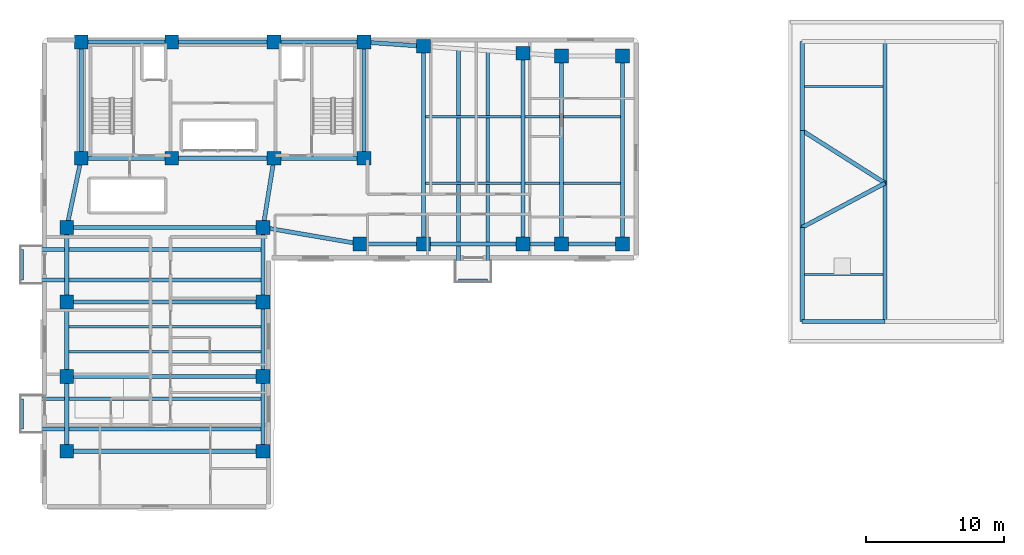
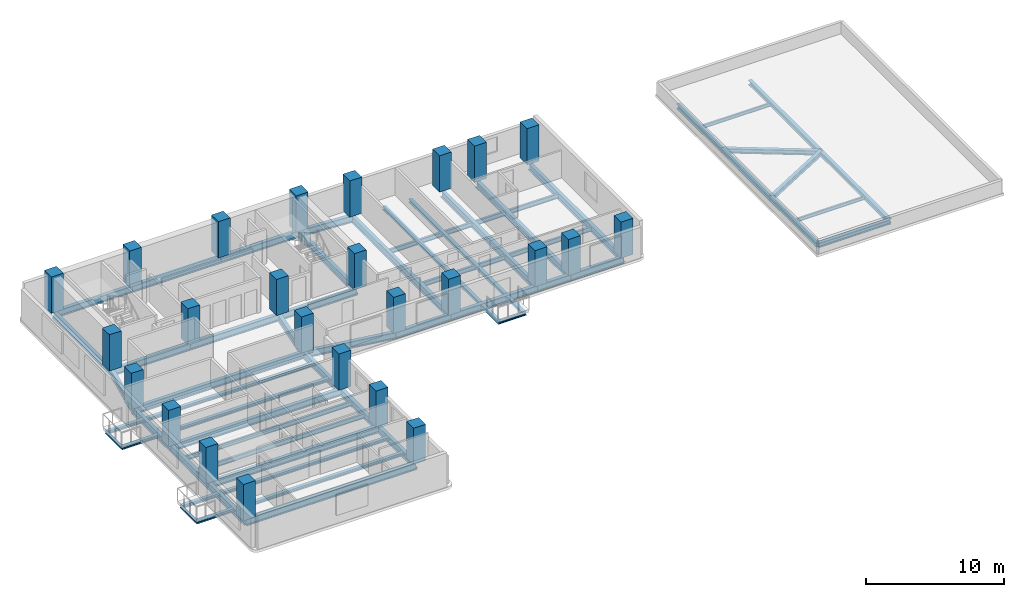
# One storey, part 1 of 8: 57 beams, 25 columns.
"""IFC4 building model written with IfcOpenShell, lengths in metres."""

from ifc_helpers import new_model, si_unit, direction, frame, origin, origin_2d, place, context, subcontext, project, spatial, rectangle, i_section, extrude, material, material_profile, profile_set, type_object, element, save


model = new_model("IFC4")

# Units and contexts
model_context = context("Model", 3, precision=1e-05, world=origin(), true_north=direction((0.0, 1.0)))
body_context = subcontext(model_context, "Body", "Model", "MODEL_VIEW")
ifc_project = project(units=[si_unit("LENGTHUNIT", "METRE"), si_unit("AREAUNIT", "SQUARE_METRE"), si_unit("VOLUMEUNIT", "CUBIC_METRE"), si_unit("PLANEANGLEUNIT", "RADIAN"), si_unit("MASSUNIT", "GRAM", prefix="KILO")], contexts=[model_context])

# Site, building, storey
site_placement = place(None, origin())
site = spatial("IfcSite", under=ifc_project, at=site_placement, CompositionType="ELEMENT")
building_placement = place(site_placement, origin())
building = spatial("IfcBuilding", under=site, at=building_placement, Name="Kuzgunbayir Cultural Tower", CompositionType="ELEMENT")
storey_placement = place(building_placement, frame((0.0, 0.0, 107.39990234375)))
storey = spatial("IfcBuildingStorey", under=building, at=storey_placement, Name="L30", CompositionType="ELEMENT", Elevation=107.39990234375)

# Columns
ifc_material_1 = material(Name="Concrete C50/60", Category="concrete")
ifc_material_profile_1 = material_profile(ifc_material_1, rectangle(XDim=1.0, YDim=1.0, at=origin_2d()), Name="RC 1000x1000")
ifc_profile_set_1 = profile_set([ifc_material_profile_1], Name="Concrete C50/60")
column_type_1 = type_object("IfcColumnType", Name="COL-CORE-1000", PredefinedType="COLUMN", material=ifc_profile_set_1)
for number, where, z_axis, x_axis, name in (
    (1, (6.449951171875, 33.800048828125, 0.0), (0.0, 0.0, 1.0), (1.0, 0.0, 0.0), "L30 T1 Core Boundary Column CC1-1"),
    (2, (13.0, 33.800048828125, 0.0), (0.0, 0.0, 1.0), (1.0, 0.0, 0.0), "L30 T1 Core Boundary Column CC1-2"),
    (3, (20.39990234375, 33.800048828125, 0.0), (0.0, 0.0, 1.0), (1.0, 0.0, 0.0), "L30 T1 Core Boundary Column CC1-3"),
    (4, (26.89990234375, 33.800048828125, 0.0), (0.0, 0.0, 1.0), (1.0, 0.0, 0.0), "L30 T1 Core Boundary Column CC1-4"),
    (5, (6.449951171875, 42.199951171875, 0.0), (0.0, 0.0, 1.0), (1.0, 0.0, 0.0), "L30 T1 Core Boundary Column CC1-5"),
    (6, (13.0, 42.199951171875, 0.0), (0.0, 0.0, 1.0), (1.0, 0.0, 0.0), "L30 T1 Core Boundary Column CC1-6"),
    (7, (20.39990234375, 42.199951171875, 0.0), (0.0, 0.0, 1.0), (1.0, 0.0, 0.0), "L30 T1 Core Boundary Column CC1-7"),
    (8, (26.89990234375, 42.199951171875, 0.0), (0.0, 0.0, 1.0), (1.0, 0.0, 0.0), "L30 T1 Core Boundary Column CC1-8"),
):
    element("IfcColumn", number, at=place(storey_placement, frame(where, z_axis=z_axis, x_axis=x_axis)), inside=storey, type_object=column_type_1, Name=name, PredefinedType="COLUMN", context=body_context, shape_type="SweptSolid", body=[
        extrude(rectangle(XDim=1.0, YDim=1.0, at=origin_2d()), origin(), (0.0, 0.0, 1.0), 3.2001953125),
    ])
ifc_material_profile_2 = material_profile(ifc_material_1, rectangle(XDim=1.0, YDim=1.0, at=origin_2d()), Name="RC 1000x1000")
ifc_profile_set_2 = profile_set([ifc_material_profile_2], Name="Concrete C50/60")
column_type_2 = type_object("IfcColumnType", Name="COL-T1-1000", PredefinedType="COLUMN", material=ifc_profile_set_2)
for number, where, z_axis, x_axis, name in (
    (9, (5.39990234375, 12.60009765625, 0.0), (0.0, 0.0, 1.0), (1.0, 0.0, 0.0), "L30 Tower 1 Wing A Column T1A-W-1"),
    (10, (19.60009765625, 12.60009765625, 0.0), (0.0, 0.0, 1.0), (1.0, 0.0, 0.0), "L30 Tower 1 Wing A Column T1A-E-1"),
    (11, (5.39990234375, 18.0, 0.0), (0.0, 0.0, 1.0), (1.0, 0.0, 0.0), "L30 Tower 1 Wing A Column T1A-W-2"),
    (12, (19.60009765625, 18.0, 0.0), (0.0, 0.0, 1.0), (1.0, 0.0, 0.0), "L30 Tower 1 Wing A Column T1A-E-2"),
    (13, (5.39990234375, 23.39990234375, 0.0), (0.0, 0.0, 1.0), (1.0, 0.0, 0.0), "L30 Tower 1 Wing A Column T1A-W-3"),
    (14, (19.60009765625, 23.39990234375, 0.0), (0.0, 0.0, 1.0), (1.0, 0.0, 0.0), "L30 Tower 1 Wing A Column T1A-E-3"),
    (15, (5.39990234375, 28.800048828125, 0.0), (0.0, 0.0, 1.0), (1.0, 0.0, 0.0), "L30 Tower 1 Wing A Column T1A-W-4"),
    (16, (19.60009765625, 28.800048828125, 0.0), (0.0, 0.0, 1.0), (1.0, 0.0, 0.0), "L30 Tower 1 Wing A Column T1A-E-4"),
    (17, (26.60009765625, 27.60009765625, 0.0), (0.0, 0.0, 1.0), (1.0, 0.0, 0.0), "L30 Tower 1 Wing B Column T1B-1-1"),
    (18, (31.199951171875, 27.60009765625, 0.0), (0.0, 0.0, 1.0), (1.0, 0.0, 0.0), "L30 Tower 1 Wing B Column T1B-2-1"),
    (19, (31.199951171875, 41.89990234375, 0.0), (0.0, 0.0, 1.0), (1.0, 0.0, 0.0), "L30 Tower 1 Wing B Column T1B-2-2"),
    (20, (38.39990234375, 27.60009765625, 0.0), (0.0, 0.0, 1.0), (1.0, 0.0, 0.0), "L30 Tower 1 Wing B Column T1B-3-1"),
    (21, (38.39990234375, 41.39990234375, 0.0), (0.0, 0.0, 1.0), (1.0, 0.0, 0.0), "L30 Tower 1 Wing B Column T1B-3-2"),
    (22, (41.199951171875, 27.60009765625, 0.0), (0.0, 0.0, 1.0), (1.0, 0.0, 0.0), "L30 Tower 1 Wing B Column T1B-4-1"),
    (23, (41.199951171875, 41.199951171875, 0.0), (0.0, 0.0, 1.0), (1.0, 0.0, 0.0), "L30 Tower 1 Wing B Column T1B-4-2"),
    (24, (45.60009765625, 27.60009765625, 0.0), (0.0, 0.0, 1.0), (1.0, 0.0, 0.0), "L30 Tower 1 Wing B Column T1B-5-1"),
    (25, (45.60009765625, 41.199951171875, 0.0), (0.0, 0.0, 1.0), (1.0, 0.0, 0.0), "L30 Tower 1 Wing B Column T1B-5-2"),
):
    element("IfcColumn", number, at=place(storey_placement, frame(where, z_axis=z_axis, x_axis=x_axis)), inside=storey, type_object=column_type_2, Name=name, PredefinedType="COLUMN", context=body_context, shape_type="SweptSolid", body=[
        extrude(rectangle(XDim=1.0, YDim=1.0, at=origin_2d()), origin(), (0.0, 0.0, 1.0), 3.2001953125),
    ])

# Beams
ifc_material_2 = material(Name="Steel S355J2", Category="steel")
ifc_material_profile_3 = material_profile(ifc_material_2, i_section(OverallWidth=0.280029296875, OverallDepth=0.280029296875, WebThickness=0.010498046875, FlangeThickness=0.01806640625, FilletRadius=0.02392578125, at=origin_2d()), Name="HEB 280")
ifc_profile_set_3 = profile_set([ifc_material_profile_3], Name="Steel S355J2")
beam_type_1 = type_object("IfcBeamType", Name="BM-BAL-HEB280", PredefinedType="BEAM", material=ifc_profile_set_3)
for number, where, z_axis, x_axis, name in (
    (26, (2.159912109375, 14.199951171875, -0.3798828125), (1.0, 0.0, 0.0), (0.0, 1.0, 0.0), "L30 Balcony Outrigger Beam BAL-L30-WA1.1"),
    (27, (2.159912109375, 16.39990234375, -0.3798828125), (1.0, 0.0, 0.0), (0.0, 1.0, 0.0), "L30 Balcony Outrigger Beam BAL-L30-WA1.2"),
    (28, (2.159912109375, 25.0, -0.3798828125), (1.0, 0.0, 0.0), (0.0, 1.0, 0.0), "L30 Balcony Outrigger Beam BAL-L30-WA3.1"),
    (29, (2.159912109375, 27.199951171875, -0.3798828125), (1.0, 0.0, 0.0), (0.0, 1.0, 0.0), "L30 Balcony Outrigger Beam BAL-L30-WA3.2"),
):
    element("IfcBeam", number, at=place(storey_placement, frame(where, z_axis=z_axis, x_axis=x_axis)), inside=storey, type_object=beam_type_1, Name=name, PredefinedType="BEAM", context=body_context, shape_type="SweptSolid", body=[
        extrude(i_section(OverallWidth=0.280029296875, OverallDepth=0.280029296875, WebThickness=0.010498046875, FlangeThickness=0.01806640625, FilletRadius=0.02392578125, at=origin_2d()), origin(), (0.0, 0.0, 1.0), 17.440185546875),
    ])
beam_1_placement = place(storey_placement, frame((33.75, 24.9599609375, -0.3798828125), z_axis=(0.0, 1.0, 0.0), x_axis=(-1.0, 0.0, 0.0)))
element("IfcBeam", 30, at=beam_1_placement, inside=storey, type_object=beam_type_1, Name="L30 Balcony Outrigger Beam BAL-L30-WB2.1", PredefinedType="BEAM", context=body_context, shape_type="SweptSolid", body=[
    extrude(i_section(OverallWidth=0.280029296875, OverallDepth=0.280029296875, WebThickness=0.010498046875, FlangeThickness=0.01806640625, FilletRadius=0.02392578125, at=origin_2d()), origin(), (0.0, 0.0, 1.0), 16.760009765625),
])
beam_2_placement = place(storey_placement, frame((35.85009765625, 24.9599609375, -0.3798828125), z_axis=(0.0, 1.0, 0.0), x_axis=(-1.0, 0.0, 0.0)))
element("IfcBeam", 31, at=beam_2_placement, inside=storey, type_object=beam_type_1, Name="L30 Balcony Outrigger Beam BAL-L30-WB2.2", PredefinedType="BEAM", context=body_context, shape_type="SweptSolid", body=[
    extrude(i_section(OverallWidth=0.280029296875, OverallDepth=0.280029296875, WebThickness=0.010498046875, FlangeThickness=0.01806640625, FilletRadius=0.02392578125, at=origin_2d()), origin(), (0.0, 0.0, 1.0), 16.6201171875),
])
ifc_material_profile_4 = material_profile(ifc_material_2, i_section(OverallWidth=0.199951171875, OverallDepth=0.199951171875, WebThickness=0.009033203125, FlangeThickness=0.014892578125, FilletRadius=0.01806640625, at=origin_2d()), Name="HEB 200")
ifc_profile_set_4 = profile_set([ifc_material_profile_4], Name="Steel S355J2")
beam_type_2 = type_object("IfcBeamType", Name="BM-CAN-HEB200", PredefinedType="BEAM", material=ifc_profile_set_4)
for number, where, z_axis, x_axis, name in (
    (32, (2.159912109375, 14.199951171875, -0.33984375), (0.0, 1.0, 0.0), (-1.0, 0.0, 0.0), "L30 Balcony Edge Header BAL-L30-WA1"),
    (33, (2.159912109375, 25.0, -0.33984375), (0.0, 1.0, 0.0), (-1.0, 0.0, 0.0), "L30 Balcony Edge Header BAL-L30-WA3"),
):
    element("IfcBeam", number, at=place(storey_placement, frame(where, z_axis=z_axis, x_axis=x_axis)), inside=storey, type_object=beam_type_2, Name=name, PredefinedType="BEAM", context=body_context, shape_type="SweptSolid", body=[
        extrude(i_section(OverallWidth=0.199951171875, OverallDepth=0.199951171875, WebThickness=0.009033203125, FlangeThickness=0.014892578125, FilletRadius=0.01806640625, at=origin_2d()), origin(), (0.0, 0.0, 1.0), 2.199951171875),
    ])
beam_3_placement = place(storey_placement, frame((33.75, 24.9599609375, -0.33984375), z_axis=(1.0, 0.0, 0.0), x_axis=(0.0, 1.0, 0.0)))
element("IfcBeam", 34, at=beam_3_placement, inside=storey, type_object=beam_type_2, Name="L30 Balcony Edge Header BAL-L30-WB2", PredefinedType="BEAM", context=body_context, shape_type="SweptSolid", body=[
    extrude(i_section(OverallWidth=0.199951171875, OverallDepth=0.199951171875, WebThickness=0.009033203125, FlangeThickness=0.014892578125, FilletRadius=0.01806640625, at=origin_2d()), origin(), (0.0, 0.0, 1.0), 2.10009765625),
])
ifc_material_profile_5 = material_profile(ifc_material_2, i_section(OverallWidth=0.300048828125, OverallDepth=0.39990234375, WebThickness=0.013427734375, FlangeThickness=0.02392578125, FilletRadius=0.027099609375, at=origin_2d()), Name="HEB 400")
ifc_profile_set_5 = profile_set([ifc_material_profile_5], Name="Steel S355J2")
beam_type_3 = type_object("IfcBeamType", Name="BM-EXT-HEB400", PredefinedType="BEAM", material=ifc_profile_set_5)
beam_4_placement = place(storey_placement, frame((58.60009765625, 22.0, -0.419921875), z_axis=(0.0, 1.0, 0.0), x_axis=(-1.0, 0.0, 0.0)))
element("IfcBeam", 35, at=beam_4_placement, inside=storey, type_object=beam_type_3, Name="L30 Companion West Girder", PredefinedType="BEAM", context=body_context, shape_type="SweptSolid", body=[
    extrude(i_section(OverallWidth=0.300048828125, OverallDepth=0.39990234375, WebThickness=0.013427734375, FlangeThickness=0.02392578125, FilletRadius=0.027099609375, at=origin_2d()), origin(), (0.0, 0.0, 1.0), 6.800048828125),
])
beam_5_placement = place(storey_placement, frame((58.60009765625, 28.800048828125, -0.419921875), z_axis=(0.0, 1.0, 0.0), x_axis=(-1.0, 0.0, 0.0)))
element("IfcBeam", 36, at=beam_5_placement, inside=storey, type_object=beam_type_3, Name="L30 Companion West Girder", PredefinedType="BEAM", context=body_context, shape_type="SweptSolid", body=[
    extrude(i_section(OverallWidth=0.300048828125, OverallDepth=0.39990234375, WebThickness=0.013427734375, FlangeThickness=0.02392578125, FilletRadius=0.027099609375, at=origin_2d()), origin(), (0.0, 0.0, 1.0), 7.0),
])
beam_6_placement = place(storey_placement, frame((58.60009765625, 35.800048828125, -0.419921875), z_axis=(0.0, 1.0, 0.0), x_axis=(-1.0, 0.0, 0.0)))
element("IfcBeam", 37, at=beam_6_placement, inside=storey, type_object=beam_type_3, Name="L30 Companion West Girder", PredefinedType="BEAM", context=body_context, shape_type="SweptSolid", body=[
    extrude(i_section(OverallWidth=0.300048828125, OverallDepth=0.39990234375, WebThickness=0.013427734375, FlangeThickness=0.02392578125, FilletRadius=0.027099609375, at=origin_2d()), origin(), (0.0, 0.0, 1.0), 6.449951171875),
])
ifc_material_profile_6 = material_profile(ifc_material_2, i_section(OverallWidth=0.300048828125, OverallDepth=0.60009765625, WebThickness=0.015380859375, FlangeThickness=0.030029296875, FilletRadius=0.027099609375, at=origin_2d()), Name="HEB 600")
ifc_profile_set_6 = profile_set([ifc_material_profile_6], Name="Steel S355J2")
beam_type_4 = type_object("IfcBeamType", Name="BM-EXT-HEB600", PredefinedType="BEAM", material=ifc_profile_set_6)
for number, where, z_axis, x_axis, name in (
    (38, (5.39990234375, 12.60009765625, -0.539794921875), (0.0, 1.0, 0.0), (-1.0, 0.0, 0.0), "L30 Wing A West Girder 1"),
    (39, (19.60009765625, 12.60009765625, -0.539794921875), (0.0, 1.0, 0.0), (-1.0, 0.0, 0.0), "L30 Wing A East Girder 1"),
    (40, (5.39990234375, 18.0, -0.539794921875), (0.0, 1.0, 0.0), (-1.0, 0.0, 0.0), "L30 Wing A West Girder 2"),
    (41, (19.60009765625, 18.0, -0.539794921875), (0.0, 1.0, 0.0), (-1.0, 0.0, 0.0), "L30 Wing A East Girder 2"),
):
    element("IfcBeam", number, at=place(storey_placement, frame(where, z_axis=z_axis, x_axis=x_axis)), inside=storey, type_object=beam_type_4, Name=name, PredefinedType="BEAM", context=body_context, shape_type="SweptSolid", body=[
        extrude(i_section(OverallWidth=0.300048828125, OverallDepth=0.60009765625, WebThickness=0.015380859375, FlangeThickness=0.030029296875, FilletRadius=0.027099609375, at=origin_2d()), origin(), (0.0, 0.0, 1.0), 5.39990234375),
    ])
for number, where, z_axis, x_axis, name in (
    (42, (5.39990234375, 23.39990234375, -0.539794921875), (0.0, 1.0, 0.0), (-1.0, 0.0, 0.0), "L30 Wing A West Girder 3"),
    (43, (19.60009765625, 23.39990234375, -0.539794921875), (0.0, 1.0, 0.0), (-1.0, 0.0, 0.0), "L30 Wing A East Girder 3"),
):
    element("IfcBeam", number, at=place(storey_placement, frame(where, z_axis=z_axis, x_axis=x_axis)), inside=storey, type_object=beam_type_4, Name=name, PredefinedType="BEAM", context=body_context, shape_type="SweptSolid", body=[
        extrude(i_section(OverallWidth=0.300048828125, OverallDepth=0.60009765625, WebThickness=0.015380859375, FlangeThickness=0.030029296875, FilletRadius=0.027099609375, at=origin_2d()), origin(), (0.0, 0.0, 1.0), 5.400146484375),
    ])
beam_7_placement = place(storey_placement, frame((26.60009765625, 27.60009765625, -0.539794921875), z_axis=(1.0, 0.0, 0.0), x_axis=(0.0, 1.0, 0.0)))
element("IfcBeam", 44, at=beam_7_placement, inside=storey, type_object=beam_type_4, Name="L30 Wing B South Girder 1", PredefinedType="BEAM", context=body_context, shape_type="SweptSolid", body=[
    extrude(i_section(OverallWidth=0.300048828125, OverallDepth=0.60009765625, WebThickness=0.015380859375, FlangeThickness=0.030029296875, FilletRadius=0.027099609375, at=origin_2d()), origin(), (0.0, 0.0, 1.0), 4.599853515625),
])
beam_8_placement = place(storey_placement, frame((26.89990234375, 42.199951171875, -0.539794921875), z_axis=(0.997574369175, -0.069608749203, 0.0), x_axis=(0.069608749203, 0.997574369175, 0.0)))
element("IfcBeam", 45, at=beam_8_placement, inside=storey, type_object=beam_type_4, Name="L30 Wing B North Girder 1", PredefinedType="BEAM", context=body_context, shape_type="SweptSolid", body=[
    extrude(i_section(OverallWidth=0.300048828125, OverallDepth=0.60009765625, WebThickness=0.015380859375, FlangeThickness=0.030029296875, FilletRadius=0.027099609375, at=origin_2d()), origin(), (0.0, 0.0, 1.0), 4.310546875),
])
beam_9_placement = place(storey_placement, frame((31.199951171875, 27.60009765625, -0.539794921875), z_axis=(1.0, 0.0, 0.0), x_axis=(0.0, 1.0, 0.0)))
element("IfcBeam", 46, at=beam_9_placement, inside=storey, type_object=beam_type_4, Name="L30 Wing B South Girder 2", PredefinedType="BEAM", context=body_context, shape_type="SweptSolid", body=[
    extrude(i_section(OverallWidth=0.300048828125, OverallDepth=0.60009765625, WebThickness=0.015380859375, FlangeThickness=0.030029296875, FilletRadius=0.027099609375, at=origin_2d()), origin(), (0.0, 0.0, 1.0), 7.199951171875),
])
beam_10_placement = place(storey_placement, frame((38.39990234375, 27.60009765625, -0.539794921875), z_axis=(1.0, 0.0, 0.0), x_axis=(0.0, 1.0, 0.0)))
element("IfcBeam", 47, at=beam_10_placement, inside=storey, type_object=beam_type_4, Name="L30 Wing B South Girder 3", PredefinedType="BEAM", context=body_context, shape_type="SweptSolid", body=[
    extrude(i_section(OverallWidth=0.300048828125, OverallDepth=0.60009765625, WebThickness=0.015380859375, FlangeThickness=0.030029296875, FilletRadius=0.027099609375, at=origin_2d()), origin(), (0.0, 0.0, 1.0), 2.800048828125),
])
beam_11_placement = place(storey_placement, frame((41.199951171875, 27.60009765625, -0.539794921875), z_axis=(1.0, 0.0, 0.0), x_axis=(0.0, 1.0, 0.0)))
element("IfcBeam", 48, at=beam_11_placement, inside=storey, type_object=beam_type_4, Name="L30 Wing B South Girder 4", PredefinedType="BEAM", context=body_context, shape_type="SweptSolid", body=[
    extrude(i_section(OverallWidth=0.300048828125, OverallDepth=0.60009765625, WebThickness=0.015380859375, FlangeThickness=0.030029296875, FilletRadius=0.027099609375, at=origin_2d()), origin(), (0.0, 0.0, 1.0), 4.400146484375),
])
ifc_material_profile_7 = material_profile(ifc_material_2, i_section(OverallWidth=0.300048828125, OverallDepth=0.39990234375, WebThickness=0.013427734375, FlangeThickness=0.02392578125, FilletRadius=0.027099609375, at=origin_2d()), Name="HEB 400")
ifc_profile_set_7 = profile_set([ifc_material_profile_7], Name="Steel S355J2")
beam_type_5 = type_object("IfcBeamType", Name="BM-GIR-HEB400", PredefinedType="BEAM", material=ifc_profile_set_7)
beam_12_placement = place(storey_placement, frame((58.60009765625, 22.0, -0.419921875), z_axis=(1.0, 0.0, 0.0), x_axis=(0.0, 1.0, 0.0)))
element("IfcBeam", 49, at=beam_12_placement, inside=storey, type_object=beam_type_5, Name="L30 Companion Transverse Girder 1", PredefinedType="BEAM", context=body_context, shape_type="SweptSolid", body=[
    extrude(i_section(OverallWidth=0.300048828125, OverallDepth=0.39990234375, WebThickness=0.013427734375, FlangeThickness=0.02392578125, FilletRadius=0.027099609375, at=origin_2d()), origin(), (0.0, 0.0, 1.0), 6.0),
])
beam_13_placement = place(storey_placement, frame((58.60009765625, 28.800048828125, -0.419921875), z_axis=(0.882355922736, 0.470582644828, 0.0), x_axis=(-0.470582644828, 0.882355922736, 0.0)))
element("IfcBeam", 50, at=beam_13_placement, inside=storey, type_object=beam_type_5, Name="L30 Companion Transverse Girder 2", PredefinedType="BEAM", context=body_context, shape_type="SweptSolid", body=[
    extrude(i_section(OverallWidth=0.300048828125, OverallDepth=0.39990234375, WebThickness=0.013427734375, FlangeThickness=0.02392578125, FilletRadius=0.027099609375, at=origin_2d()), origin(), (0.0, 0.0, 1.0), 6.800048828125),
])
beam_14_placement = place(storey_placement, frame((58.60009765625, 35.800048828125, -0.419921875), z_axis=(0.844815967829, -0.535056988088, 0.0), x_axis=(0.535056988088, 0.844815967829, 0.0)))
element("IfcBeam", 51, at=beam_14_placement, inside=storey, type_object=beam_type_5, Name="L30 Companion Transverse Girder 3", PredefinedType="BEAM", context=body_context, shape_type="SweptSolid", body=[
    extrude(i_section(OverallWidth=0.300048828125, OverallDepth=0.39990234375, WebThickness=0.013427734375, FlangeThickness=0.02392578125, FilletRadius=0.027099609375, at=origin_2d()), origin(), (0.0, 0.0, 1.0), 7.10205078125),
])
beam_15_placement = place(storey_placement, frame((64.60009765625, 22.0, -0.419921875), z_axis=(0.0, 1.0, 0.0), x_axis=(-1.0, 0.0, 0.0)))
element("IfcBeam", 52, at=beam_15_placement, inside=storey, type_object=beam_type_5, Name="L30 Companion Core West Girder 1", PredefinedType="BEAM", context=body_context, shape_type="SweptSolid", body=[
    extrude(i_section(OverallWidth=0.300048828125, OverallDepth=0.39990234375, WebThickness=0.013427734375, FlangeThickness=0.02392578125, FilletRadius=0.027099609375, at=origin_2d()), origin(), (0.0, 0.0, 1.0), 10.0),
])
beam_16_placement = place(storey_placement, frame((64.60009765625, 32.0, -0.419921875), z_axis=(0.0, 1.0, 0.0), x_axis=(-1.0, 0.0, 0.0)))
element("IfcBeam", 53, at=beam_16_placement, inside=storey, type_object=beam_type_5, Name="L30 Companion Core West Girder 2", PredefinedType="BEAM", context=body_context, shape_type="SweptSolid", body=[
    extrude(i_section(OverallWidth=0.300048828125, OverallDepth=0.39990234375, WebThickness=0.013427734375, FlangeThickness=0.02392578125, FilletRadius=0.027099609375, at=origin_2d()), origin(), (0.0, 0.0, 1.0), 10.25),
])
ifc_material_profile_8 = material_profile(ifc_material_2, i_section(OverallWidth=0.300048828125, OverallDepth=0.60009765625, WebThickness=0.015380859375, FlangeThickness=0.030029296875, FilletRadius=0.027099609375, at=origin_2d()), Name="HEB 600")
ifc_profile_set_8 = profile_set([ifc_material_profile_8], Name="Steel S355J2")
beam_type_6 = type_object("IfcBeamType", Name="BM-GIR-HEB600", PredefinedType="BEAM", material=ifc_profile_set_8)
beam_17_placement = place(storey_placement, frame((6.449951171875, 33.800048828125, -0.539794921875), z_axis=(1.0, 0.0, 0.0), x_axis=(0.0, 1.0, 0.0)))
element("IfcBeam", 54, at=beam_17_placement, inside=storey, type_object=beam_type_6, Name="L30 Core South Girder 1", PredefinedType="BEAM", context=body_context, shape_type="SweptSolid", body=[
    extrude(i_section(OverallWidth=0.300048828125, OverallDepth=0.60009765625, WebThickness=0.015380859375, FlangeThickness=0.030029296875, FilletRadius=0.027099609375, at=origin_2d()), origin(), (0.0, 0.0, 1.0), 6.550048828125),
])
beam_18_placement = place(storey_placement, frame((13.0, 33.800048828125, -0.539794921875), z_axis=(1.0, 0.0, 0.0), x_axis=(0.0, 1.0, 0.0)))
element("IfcBeam", 55, at=beam_18_placement, inside=storey, type_object=beam_type_6, Name="L30 Core South Girder 2", PredefinedType="BEAM", context=body_context, shape_type="SweptSolid", body=[
    extrude(i_section(OverallWidth=0.300048828125, OverallDepth=0.60009765625, WebThickness=0.015380859375, FlangeThickness=0.030029296875, FilletRadius=0.027099609375, at=origin_2d()), origin(), (0.0, 0.0, 1.0), 7.39990234375),
])
beam_19_placement = place(storey_placement, frame((20.39990234375, 33.800048828125, -0.539794921875), z_axis=(1.0, 0.0, 0.0), x_axis=(0.0, 1.0, 0.0)))
element("IfcBeam", 56, at=beam_19_placement, inside=storey, type_object=beam_type_6, Name="L30 Core South Girder 3", PredefinedType="BEAM", context=body_context, shape_type="SweptSolid", body=[
    extrude(i_section(OverallWidth=0.300048828125, OverallDepth=0.60009765625, WebThickness=0.015380859375, FlangeThickness=0.030029296875, FilletRadius=0.027099609375, at=origin_2d()), origin(), (0.0, 0.0, 1.0), 6.5),
])
beam_20_placement = place(storey_placement, frame((6.449951171875, 42.199951171875, -0.539794921875), z_axis=(1.0, 0.0, 0.0), x_axis=(0.0, 1.0, 0.0)))
element("IfcBeam", 57, at=beam_20_placement, inside=storey, type_object=beam_type_6, Name="L30 Core North Girder 1", PredefinedType="BEAM", context=body_context, shape_type="SweptSolid", body=[
    extrude(i_section(OverallWidth=0.300048828125, OverallDepth=0.60009765625, WebThickness=0.015380859375, FlangeThickness=0.030029296875, FilletRadius=0.027099609375, at=origin_2d()), origin(), (0.0, 0.0, 1.0), 6.550048828125),
])
beam_21_placement = place(storey_placement, frame((13.0, 42.199951171875, -0.539794921875), z_axis=(1.0, 0.0, 0.0), x_axis=(0.0, 1.0, 0.0)))
element("IfcBeam", 58, at=beam_21_placement, inside=storey, type_object=beam_type_6, Name="L30 Core North Girder 2", PredefinedType="BEAM", context=body_context, shape_type="SweptSolid", body=[
    extrude(i_section(OverallWidth=0.300048828125, OverallDepth=0.60009765625, WebThickness=0.015380859375, FlangeThickness=0.030029296875, FilletRadius=0.027099609375, at=origin_2d()), origin(), (0.0, 0.0, 1.0), 7.39990234375),
])
beam_22_placement = place(storey_placement, frame((20.39990234375, 42.199951171875, -0.539794921875), z_axis=(1.0, 0.0, 0.0), x_axis=(0.0, 1.0, 0.0)))
element("IfcBeam", 59, at=beam_22_placement, inside=storey, type_object=beam_type_6, Name="L30 Core North Girder 3", PredefinedType="BEAM", context=body_context, shape_type="SweptSolid", body=[
    extrude(i_section(OverallWidth=0.300048828125, OverallDepth=0.60009765625, WebThickness=0.015380859375, FlangeThickness=0.030029296875, FilletRadius=0.027099609375, at=origin_2d()), origin(), (0.0, 0.0, 1.0), 6.5),
])
for number, where, z_axis, x_axis, name in (
    (60, (6.449951171875, 33.800048828125, -0.539794921875), (0.0, 1.0, 0.0), (-1.0, 0.0, 0.0), "L30 Core West Edge Girder"),
    (61, (26.89990234375, 33.800048828125, -0.539794921875), (0.0, 1.0, 0.0), (-1.0, 0.0, 0.0), "L30 Core East Edge Girder"),
):
    element("IfcBeam", number, at=place(storey_placement, frame(where, z_axis=z_axis, x_axis=x_axis)), inside=storey, type_object=beam_type_6, Name=name, PredefinedType="BEAM", context=body_context, shape_type="SweptSolid", body=[
        extrude(i_section(OverallWidth=0.300048828125, OverallDepth=0.60009765625, WebThickness=0.015380859375, FlangeThickness=0.030029296875, FilletRadius=0.027099609375, at=origin_2d()), origin(), (0.0, 0.0, 1.0), 8.39990234375),
    ])
for number, where, z_axis, x_axis, name in (
    (62, (5.39990234375, 12.60009765625, -0.539794921875), (1.0, 0.0, 0.0), (0.0, 1.0, 0.0), "L30 Wing A Transverse Girder 1"),
    (63, (5.39990234375, 18.0, -0.539794921875), (1.0, 0.0, 0.0), (0.0, 1.0, 0.0), "L30 Wing A Transverse Girder 2"),
    (64, (5.39990234375, 23.39990234375, -0.539794921875), (1.0, 0.0, 0.0), (0.0, 1.0, 0.0), "L30 Wing A Transverse Girder 3"),
    (65, (5.39990234375, 28.800048828125, -0.539794921875), (1.0, 0.0, 0.0), (0.0, 1.0, 0.0), "L30 Wing A Transverse Girder 4"),
):
    element("IfcBeam", number, at=place(storey_placement, frame(where, z_axis=z_axis, x_axis=x_axis)), inside=storey, type_object=beam_type_6, Name=name, PredefinedType="BEAM", context=body_context, shape_type="SweptSolid", body=[
        extrude(i_section(OverallWidth=0.300048828125, OverallDepth=0.60009765625, WebThickness=0.015380859375, FlangeThickness=0.030029296875, FilletRadius=0.027099609375, at=origin_2d()), origin(), (0.0, 0.0, 1.0), 14.2001953125),
    ])
beam_23_placement = place(storey_placement, frame((5.39990234375, 28.800048828125, -0.539794921875), z_axis=(0.205526387753, 0.978651574329, 0.0), x_axis=(-0.978651574329, 0.205526387753, 0.0)))
element("IfcBeam", 66, at=beam_23_placement, inside=storey, type_object=beam_type_6, Name="L30 Wing A West Core Floor Girder", PredefinedType="BEAM", context=body_context, shape_type="SweptSolid", body=[
    extrude(i_section(OverallWidth=0.300048828125, OverallDepth=0.60009765625, WebThickness=0.015380859375, FlangeThickness=0.030029296875, FilletRadius=0.027099609375, at=origin_2d()), origin(), (0.0, 0.0, 1.0), 5.109130859375),
])
beam_24_placement = place(storey_placement, frame((19.60009765625, 28.800048828125, -0.539794921875), z_axis=(0.157952891656, 0.987446648694, 0.0), x_axis=(-0.987446648694, 0.157952891656, 0.0)))
element("IfcBeam", 67, at=beam_24_placement, inside=storey, type_object=beam_type_6, Name="L30 Wing A East Core Floor Girder", PredefinedType="BEAM", context=body_context, shape_type="SweptSolid", body=[
    extrude(i_section(OverallWidth=0.300048828125, OverallDepth=0.60009765625, WebThickness=0.015380859375, FlangeThickness=0.030029296875, FilletRadius=0.027099609375, at=origin_2d()), origin(), (0.0, 0.0, 1.0), 5.0634765625),
])
beam_25_placement = place(storey_placement, frame((31.199951171875, 27.60009765625, -0.539794921875), z_axis=(0.0, 1.0, 0.0), x_axis=(-1.0, 0.0, 0.0)))
element("IfcBeam", 68, at=beam_25_placement, inside=storey, type_object=beam_type_6, Name="L30 Wing B Cross Girder 31", PredefinedType="BEAM", context=body_context, shape_type="SweptSolid", body=[
    extrude(i_section(OverallWidth=0.300048828125, OverallDepth=0.60009765625, WebThickness=0.015380859375, FlangeThickness=0.030029296875, FilletRadius=0.027099609375, at=origin_2d()), origin(), (0.0, 0.0, 1.0), 14.2998046875),
])
beam_26_placement = place(storey_placement, frame((38.39990234375, 27.60009765625, -0.539794921875), z_axis=(0.0, 1.0, 0.0), x_axis=(-1.0, 0.0, 0.0)))
element("IfcBeam", 69, at=beam_26_placement, inside=storey, type_object=beam_type_6, Name="L30 Wing B Cross Girder 38", PredefinedType="BEAM", context=body_context, shape_type="SweptSolid", body=[
    extrude(i_section(OverallWidth=0.300048828125, OverallDepth=0.60009765625, WebThickness=0.015380859375, FlangeThickness=0.030029296875, FilletRadius=0.027099609375, at=origin_2d()), origin(), (0.0, 0.0, 1.0), 13.7998046875),
])
for number, where, z_axis, x_axis, name in (
    (70, (41.199951171875, 27.60009765625, -0.539794921875), (0.0, 1.0, 0.0), (-1.0, 0.0, 0.0), "L30 Wing B Cross Girder 41"),
    (71, (45.60009765625, 27.60009765625, -0.539794921875), (0.0, 1.0, 0.0), (-1.0, 0.0, 0.0), "L30 Wing B Cross Girder 45"),
):
    element("IfcBeam", number, at=place(storey_placement, frame(where, z_axis=z_axis, x_axis=x_axis)), inside=storey, type_object=beam_type_6, Name=name, PredefinedType="BEAM", context=body_context, shape_type="SweptSolid", body=[
        extrude(i_section(OverallWidth=0.300048828125, OverallDepth=0.60009765625, WebThickness=0.015380859375, FlangeThickness=0.030029296875, FilletRadius=0.027099609375, at=origin_2d()), origin(), (0.0, 0.0, 1.0), 13.599853515625),
    ])
beam_27_placement = place(storey_placement, frame((19.60009765625, 28.800048828125, -0.539794921875), z_axis=(0.985623399742, -0.168957136221, 0.0), x_axis=(0.168957136221, 0.985623399742, 0.0)))
element("IfcBeam", 72, at=beam_27_placement, inside=storey, type_object=beam_type_6, Name="L30 Wing B Waist Tie Girder", PredefinedType="BEAM", context=body_context, shape_type="SweptSolid", body=[
    extrude(i_section(OverallWidth=0.300048828125, OverallDepth=0.60009765625, WebThickness=0.015380859375, FlangeThickness=0.030029296875, FilletRadius=0.027099609375, at=origin_2d()), origin(), (0.0, 0.0, 1.0), 7.10205078125),
])
ifc_material_profile_9 = material_profile(ifc_material_2, i_section(OverallWidth=0.14990234375, OverallDepth=0.300048828125, WebThickness=0.007080078125, FlangeThickness=0.0107421875, FilletRadius=0.014892578125, at=origin_2d()), Name="IPE 300")
ifc_profile_set_9 = profile_set([ifc_material_profile_9], Name="Steel S355J2")
beam_type_7 = type_object("IfcBeamType", Name="BM-JST-IPE300", PredefinedType="JOIST", material=ifc_profile_set_9)
for number, where, z_axis, x_axis, name in (
    (73, (58.75, 25.39990234375, -0.369873046875), (1.0, 0.0, 0.0), (0.0, 1.0, 0.0), "L30 Companion Joist"),
    (74, (58.75, 39.0, -0.369873046875), (1.0, 0.0, 0.0), (0.0, 1.0, 0.0), "L30 Companion Joist"),
):
    element("IfcBeam", number, at=place(storey_placement, frame(where, z_axis=z_axis, x_axis=x_axis)), inside=storey, type_object=beam_type_7, Name=name, PredefinedType="JOIST", context=body_context, shape_type="SweptSolid", body=[
        extrude(i_section(OverallWidth=0.14990234375, OverallDepth=0.300048828125, WebThickness=0.007080078125, FlangeThickness=0.0107421875, FilletRadius=0.014892578125, at=origin_2d()), origin(), (0.0, 0.0, 1.0), 5.699951171875),
    ])
ifc_material_profile_10 = material_profile(ifc_material_2, i_section(OverallWidth=0.179931640625, OverallDepth=0.39990234375, WebThickness=0.008544921875, FlangeThickness=0.013427734375, FilletRadius=0.02099609375, at=origin_2d()), Name="IPE 400")
ifc_profile_set_10 = profile_set([ifc_material_profile_10], Name="Steel S355J2")
beam_type_8 = type_object("IfcBeamType", Name="BM-JST-IPE400", PredefinedType="JOIST", material=ifc_profile_set_10)
for number, where, z_axis, x_axis, name in (
    (75, (5.550048828125, 19.800048828125, -0.43994140625), (1.0, 0.0, 0.0), (0.0, 1.0, 0.0), "L30 Wing A Secondary Joist 3"),
    (76, (5.550048828125, 21.60009765625, -0.43994140625), (1.0, 0.0, 0.0), (0.0, 1.0, 0.0), "L30 Wing A Secondary Joist 4"),
):
    element("IfcBeam", number, at=place(storey_placement, frame(where, z_axis=z_axis, x_axis=x_axis)), inside=storey, type_object=beam_type_8, Name=name, PredefinedType="JOIST", context=body_context, shape_type="SweptSolid", body=[
        extrude(i_section(OverallWidth=0.179931640625, OverallDepth=0.39990234375, WebThickness=0.008544921875, FlangeThickness=0.013427734375, FilletRadius=0.02099609375, at=origin_2d()), origin(), (0.0, 0.0, 1.0), 13.89990234375),
    ])
for number, where, z_axis, x_axis, name in (
    (77, (31.35009765625, 32.0, -0.43994140625), (1.0, 0.0, 0.0), (0.0, 1.0, 0.0), "L30 Wing B Secondary Joist 1.1"),
    (78, (31.35009765625, 36.800048828125, -0.43994140625), (1.0, 0.0, 0.0), (0.0, 1.0, 0.0), "L30 Wing B Secondary Joist 1.2"),
):
    element("IfcBeam", number, at=place(storey_placement, frame(where, z_axis=z_axis, x_axis=x_axis)), inside=storey, type_object=beam_type_8, Name=name, PredefinedType="JOIST", context=body_context, shape_type="SweptSolid", body=[
        extrude(i_section(OverallWidth=0.179931640625, OverallDepth=0.39990234375, WebThickness=0.008544921875, FlangeThickness=0.013427734375, FilletRadius=0.02099609375, at=origin_2d()), origin(), (0.0, 0.0, 1.0), 6.89990234375),
    ])
for number, where, z_axis, x_axis, name in (
    (79, (38.550048828125, 32.0, -0.43994140625), (1.0, 0.0, 0.0), (0.0, 1.0, 0.0), "L30 Wing B Secondary Joist 2.1"),
    (80, (38.550048828125, 36.800048828125, -0.43994140625), (1.0, 0.0, 0.0), (0.0, 1.0, 0.0), "L30 Wing B Secondary Joist 2.2"),
):
    element("IfcBeam", number, at=place(storey_placement, frame(where, z_axis=z_axis, x_axis=x_axis)), inside=storey, type_object=beam_type_8, Name=name, PredefinedType="JOIST", context=body_context, shape_type="SweptSolid", body=[
        extrude(i_section(OverallWidth=0.179931640625, OverallDepth=0.39990234375, WebThickness=0.008544921875, FlangeThickness=0.013427734375, FilletRadius=0.02099609375, at=origin_2d()), origin(), (0.0, 0.0, 1.0), 2.5),
    ])
for number, where, z_axis, x_axis, name in (
    (81, (41.35009765625, 32.0, -0.43994140625), (1.0, 0.0, 0.0), (0.0, 1.0, 0.0), "L30 Wing B Secondary Joist 3.1"),
    (82, (41.35009765625, 36.800048828125, -0.43994140625), (1.0, 0.0, 0.0), (0.0, 1.0, 0.0), "L30 Wing B Secondary Joist 3.2"),
):
    element("IfcBeam", number, at=place(storey_placement, frame(where, z_axis=z_axis, x_axis=x_axis)), inside=storey, type_object=beam_type_8, Name=name, PredefinedType="JOIST", context=body_context, shape_type="SweptSolid", body=[
        extrude(i_section(OverallWidth=0.179931640625, OverallDepth=0.39990234375, WebThickness=0.008544921875, FlangeThickness=0.013427734375, FilletRadius=0.02099609375, at=origin_2d()), origin(), (0.0, 0.0, 1.0), 4.099853515625),
    ])

save(model, "model.ifc")
